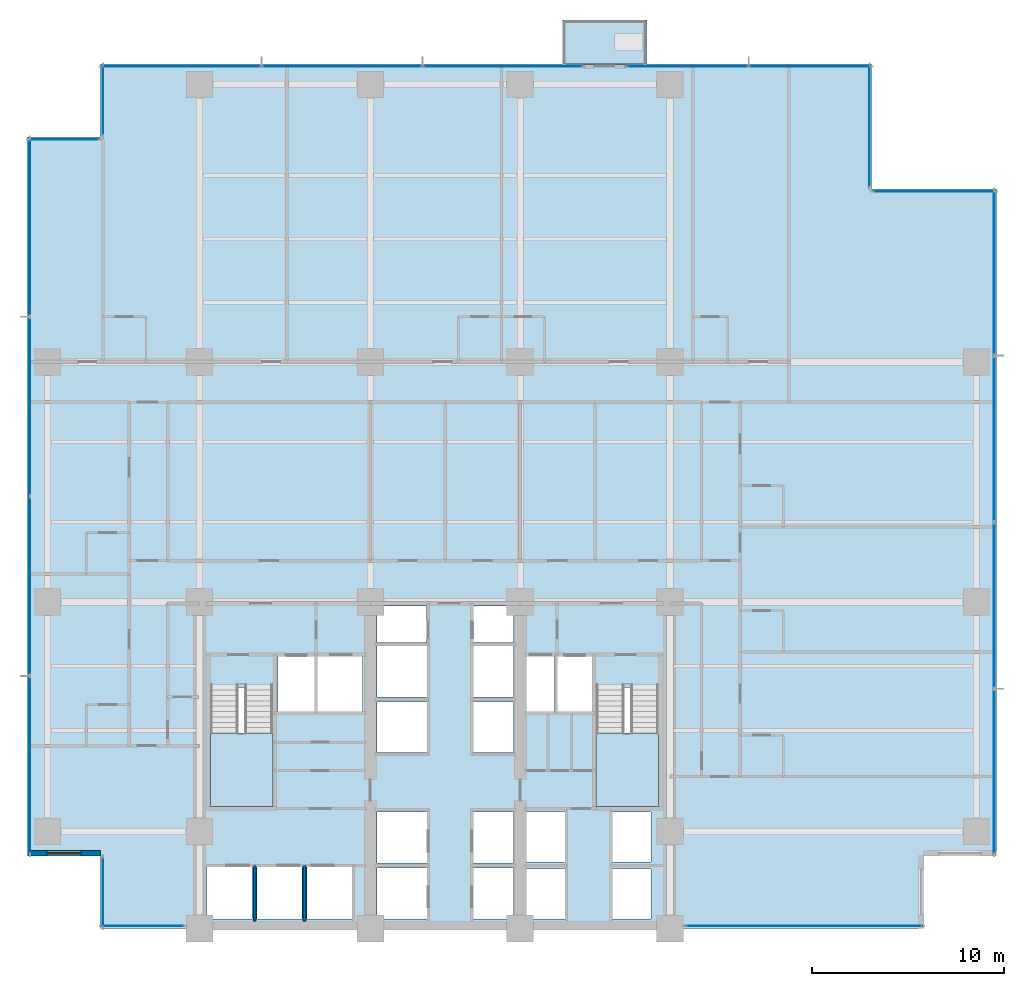
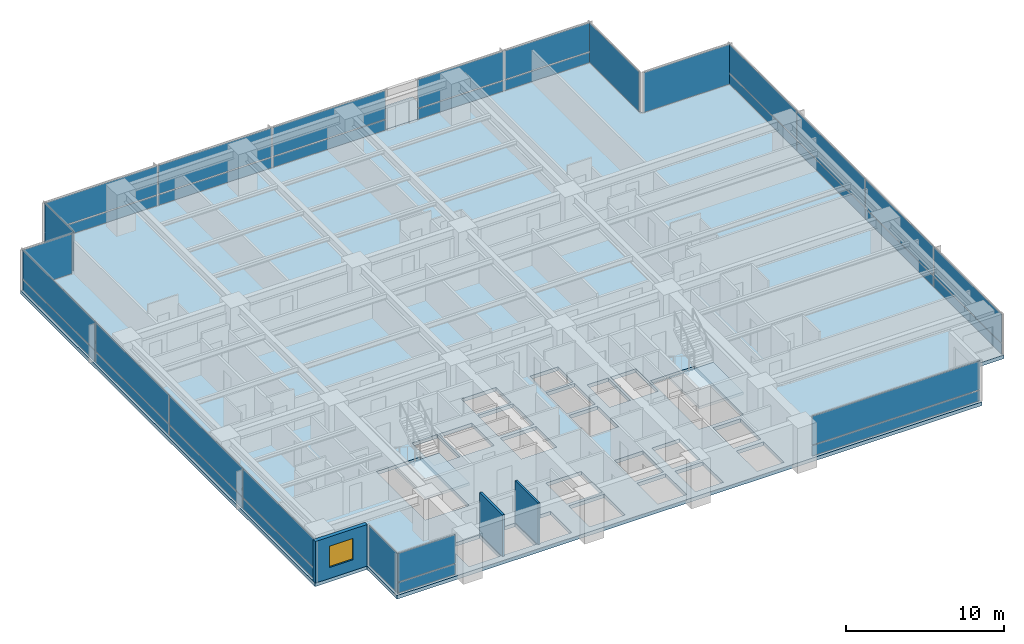
# One storey, part 6 of 16: 35 plates, 4 slabs, 3 walls, 1 window, 1 opening, 13 elements without a shape of their own.
"""IFC4 building model written with IfcOpenShell, lengths in metres."""

from ifc_helpers import new_model, si_unit, direction, frame, frame_2d, origin, origin_2d, place, context, subcontext, project, spatial, polyline, rectangle, outline, extrude, material, layer, layer_set, type_object, element, fill, aggregate, save


model = new_model("IFC4")

# Units and contexts
model_context = context("Model", 3, precision=1e-05, world=origin(), true_north=direction((0.0, 1.0)))
body_context = subcontext(model_context, "Body", "Model", "MODEL_VIEW")
ifc_project = project(units=[si_unit("LENGTHUNIT", "METRE"), si_unit("AREAUNIT", "SQUARE_METRE"), si_unit("VOLUMEUNIT", "CUBIC_METRE"), si_unit("PLANEANGLEUNIT", "RADIAN"), si_unit("MASSUNIT", "GRAM", prefix="KILO")], contexts=[model_context])

# Site, building, storey
site_placement = place(None, origin())
site = spatial("IfcSite", under=ifc_project, at=site_placement, CompositionType="ELEMENT")
building_placement = place(site_placement, origin())
building = spatial("IfcBuilding", under=site, at=building_placement, Name="Qalmaran Belvedere Hotel", CompositionType="ELEMENT")
storey_placement = place(building_placement, frame((0.0, 0.0, 50.89990234375)))
storey = spatial("IfcBuildingStorey", under=building, at=storey_placement, Name="L12", CompositionType="ELEMENT", Elevation=50.89990234375)

# Curtain wall, plate
ifc_material_1 = material(Name="Anodised Bronze Aluminium", Category="aluminium")
ifc_layer_1 = layer(ifc_material_1, 0.2099609375, Name="Anodised Bronze Aluminium")
ifc_layer_set_1 = layer_set([ifc_layer_1], Name="Anodised Bronze Aluminium")
curtain_wall_type = type_object("IfcCurtainWallType", Name="CW2-TOWER-LOWER", PredefinedType="NOTDEFINED", material=ifc_layer_set_1)
curtain_wall_1_placement = place(storey_placement, origin())
curtain_wall_1 = element("IfcCurtainWall", 1, at=curtain_wall_1_placement, inside=storey, type_object=curtain_wall_type, Name="L12 Curtain Wall CW2", PredefinedType="NOTDEFINED")
ifc_material_2 = material(Name="Anodised Bronze Spandrel Panel")
ifc_layer_2 = layer(ifc_material_2, 0.035888671875, Name="Anodised Bronze Spandrel Panel")
ifc_layer_set_2 = layer_set([ifc_layer_2], Name="Anodised Bronze Spandrel Panel")
plate_type_1 = type_object("IfcPlateType", Name="CWP-SPANDREL-36", PredefinedType="CURTAIN_PANEL", material=ifc_layer_set_2)
plate_1_placement = place(storey_placement, frame((17.35498046875, 3.6201171875, 0.0703125), z_axis=(0.0, 0.0, 1.0), x_axis=(1.0, 0.0, 0.0)))
plate_1 = element("IfcPlate", 2, at=plate_1_placement, type_object=plate_type_1, Name="CW2 panel 1.1", PredefinedType="CURTAIN_PANEL", context=body_context, shape_type="SweptSolid", body=[
    extrude(rectangle(XDim=4.260009765625, YDim=0.035888671875, at=origin_2d()), origin(), (0.0, 0.0, 1.0), 0.796630859375),
])

curtain_wall_2_placement = place(storey_placement, origin())
curtain_wall_2 = element("IfcCurtainWall", 3, at=curtain_wall_2_placement, inside=storey, type_object=curtain_wall_type, Name="L12 Curtain Wall CW2", PredefinedType="NOTDEFINED")
plate_2_placement = place(storey_placement, frame((51.77001953125, 3.6201171875, 0.0703125), z_axis=(0.0, 0.0, 1.0), x_axis=(1.0, 0.0, 0.0)))
plate_2 = element("IfcPlate", 4, at=plate_2_placement, type_object=plate_type_1, Name="CW2 panel 1.1", PredefinedType="CURTAIN_PANEL", context=body_context, shape_type="SweptSolid", body=[
    extrude(rectangle(XDim=12.31005859375, YDim=0.035888671875, at=origin_2d()), origin(), (0.0, 0.0, 1.0), 0.796630859375),
])

# Curtain wall, plates
curtain_wall_3_placement = place(storey_placement, origin())
curtain_wall_3 = element("IfcCurtainWall", 5, at=curtain_wall_3_placement, inside=storey, type_object=curtain_wall_type, Name="L12 Curtain Wall CW2", PredefinedType="NOTDEFINED")
plate_3_placement = place(storey_placement, frame((61.679931640625, 11.65625, 0.0703125), z_axis=(0.0, 0.0, 1.0), x_axis=(0.0, 1.0, 0.0)))
plate_3 = element("IfcPlate", 6, at=plate_3_placement, type_object=plate_type_1, Name="CW2 panel 1.1", PredefinedType="CURTAIN_PANEL", context=body_context, shape_type="SweptSolid", body=[
    extrude(rectangle(XDim=8.5625, YDim=0.035888671875, at=origin_2d()), origin(), (0.0, 0.0, 1.0), 0.796630859375),
])
plate_4_placement = place(storey_placement, frame((61.679931640625, 20.3125, 0.0703125), z_axis=(0.0, 0.0, 1.0), x_axis=(0.0, 1.0, 0.0)))
plate_4 = element("IfcPlate", 7, at=plate_4_placement, type_object=plate_type_1, Name="CW2 panel 2.1", PredefinedType="CURTAIN_PANEL", context=body_context, shape_type="SweptSolid", body=[
    extrude(rectangle(XDim=8.60009765625, YDim=0.035888671875, at=origin_2d()), origin(), (0.0, 0.0, 1.0), 0.796630859375),
])
plate_5_placement = place(storey_placement, frame((61.679931640625, 28.987548828125, 0.0703125), z_axis=(0.0, 0.0, 1.0), x_axis=(0.0, 1.0, 0.0)))
plate_5 = element("IfcPlate", 8, at=plate_5_placement, type_object=plate_type_1, Name="CW2 panel 3.1", PredefinedType="CURTAIN_PANEL", context=body_context, shape_type="SweptSolid", body=[
    extrude(rectangle(XDim=8.60009765625, YDim=0.035888671875, at=origin_2d()), origin(), (0.0, 0.0, 1.0), 0.796630859375),
])
plate_6_placement = place(storey_placement, frame((61.679931640625, 37.643798828125, 0.0703125), z_axis=(0.0, 0.0, 1.0), x_axis=(0.0, 1.0, 0.0)))
plate_6 = element("IfcPlate", 9, at=plate_6_placement, type_object=plate_type_1, Name="CW2 panel 4.1", PredefinedType="CURTAIN_PANEL", context=body_context, shape_type="SweptSolid", body=[
    extrude(rectangle(XDim=8.5625, YDim=0.035888671875, at=origin_2d()), origin(), (0.0, 0.0, 1.0), 0.796630859375),
])

curtain_wall_4_placement = place(storey_placement, origin())
curtain_wall_4 = element("IfcCurtainWall", 10, at=curtain_wall_4_placement, inside=storey, type_object=curtain_wall_type, Name="L12 Curtain Wall CW2", PredefinedType="NOTDEFINED")
plate_7_placement = place(storey_placement, frame((36.089599609375, 48.3798828125, 0.0703125), z_axis=(0.0, 0.0, 1.0), x_axis=(-1.0, 0.0, 0.0)))
plate_7 = element("IfcPlate", 11, at=plate_7_placement, type_object=plate_type_1, Name="CW2 panel 1.1", PredefinedType="CURTAIN_PANEL", context=body_context, shape_type="SweptSolid", body=[
    extrude(rectangle(XDim=8.270751953125, YDim=0.035888671875, at=origin_2d()), origin(), (0.0, 0.0, 1.0), 0.796630859375),
])
plate_8_placement = place(storey_placement, frame((27.72509765625, 48.3798828125, 0.0703125), z_axis=(0.0, 0.0, 1.0), x_axis=(-1.0, 0.0, 0.0)))
plate_8 = element("IfcPlate", 12, at=plate_8_placement, type_object=plate_type_1, Name="CW2 panel 2.1", PredefinedType="CURTAIN_PANEL", context=body_context, shape_type="SweptSolid", body=[
    extrude(rectangle(XDim=8.308349609375, YDim=0.035888671875, at=origin_2d()), origin(), (0.0, 0.0, 1.0), 0.796630859375),
])
plate_9_placement = place(storey_placement, frame((19.3603515625, 48.3798828125, 0.0703125), z_axis=(0.0, 0.0, 1.0), x_axis=(-1.0, 0.0, 0.0)))
plate_9 = element("IfcPlate", 13, at=plate_9_placement, type_object=plate_type_1, Name="CW2 panel 3.1", PredefinedType="CURTAIN_PANEL", context=body_context, shape_type="SweptSolid", body=[
    extrude(rectangle(XDim=8.270751953125, YDim=0.035888671875, at=origin_2d()), origin(), (0.0, 0.0, 1.0), 0.796630859375),
])

curtain_wall_5_placement = place(storey_placement, origin())
curtain_wall_5 = element("IfcCurtainWall", 14, at=curtain_wall_5_placement, inside=storey, type_object=curtain_wall_type, Name="L12 Curtain Wall CW2", PredefinedType="NOTDEFINED")
plate_10_placement = place(storey_placement, frame((52.081298828125, 48.3798828125, 0.0703125), z_axis=(0.0, 0.0, 1.0), x_axis=(-1.0, 0.0, 0.0)))
plate_10 = element("IfcPlate", 15, at=plate_10_placement, type_object=plate_type_1, Name="CW2 panel 1.1", PredefinedType="CURTAIN_PANEL", context=body_context, shape_type="SweptSolid", body=[
    extrude(rectangle(XDim=6.28759765625, YDim=0.035888671875, at=origin_2d()), origin(), (0.0, 0.0, 1.0), 0.796630859375),
])
plate_11_placement = place(storey_placement, frame((45.71875, 48.3798828125, 0.0703125), z_axis=(0.0, 0.0, 1.0), x_axis=(-1.0, 0.0, 0.0)))
plate_11 = element("IfcPlate", 16, at=plate_11_placement, type_object=plate_type_1, Name="CW2 panel 2.1", PredefinedType="CURTAIN_PANEL", context=body_context, shape_type="SweptSolid", body=[
    extrude(rectangle(XDim=6.28759765625, YDim=0.035888671875, at=origin_2d()), origin(), (0.0, 0.0, 1.0), 0.796630859375),
])

curtain_wall_6_placement = place(storey_placement, origin())
curtain_wall_6 = element("IfcCurtainWall", 17, at=curtain_wall_6_placement, inside=storey, type_object=curtain_wall_type, Name="L12 Curtain Wall CW2", PredefinedType="NOTDEFINED")
plate_12_placement = place(storey_placement, frame((11.469970703125, 40.00634765625, 0.0703125), z_axis=(0.0, 0.0, 1.0), x_axis=(0.0, -1.0, 0.0)))
plate_12 = element("IfcPlate", 18, at=plate_12_placement, type_object=plate_type_1, Name="CW2 panel 1.1", PredefinedType="CURTAIN_PANEL", context=body_context, shape_type="SweptSolid", body=[
    extrude(rectangle(XDim=9.237548828125, YDim=0.035888671875, at=origin_2d()), origin(), (0.0, 0.0, 1.0), 0.796630859375),
])
plate_13_placement = place(storey_placement, frame((11.469970703125, 30.675048828125, 0.0703125), z_axis=(0.0, 0.0, 1.0), x_axis=(0.0, -1.0, 0.0)))
plate_13 = element("IfcPlate", 19, at=plate_13_placement, type_object=plate_type_1, Name="CW2 panel 2.1", PredefinedType="CURTAIN_PANEL", context=body_context, shape_type="SweptSolid", body=[
    extrude(rectangle(XDim=9.27490234375, YDim=0.035888671875, at=origin_2d()), origin(), (0.0, 0.0, 1.0), 0.796630859375),
])
plate_14_placement = place(storey_placement, frame((11.469970703125, 21.324951171875, 0.0703125), z_axis=(0.0, 0.0, 1.0), x_axis=(0.0, -1.0, 0.0)))
plate_14 = element("IfcPlate", 20, at=plate_14_placement, type_object=plate_type_1, Name="CW2 panel 3.1", PredefinedType="CURTAIN_PANEL", context=body_context, shape_type="SweptSolid", body=[
    extrude(rectangle(XDim=9.27490234375, YDim=0.035888671875, at=origin_2d()), origin(), (0.0, 0.0, 1.0), 0.796630859375),
])
plate_15_placement = place(storey_placement, frame((11.469970703125, 11.99365234375, 0.0703125), z_axis=(0.0, 0.0, 1.0), x_axis=(0.0, -1.0, 0.0)))
plate_15 = element("IfcPlate", 21, at=plate_15_placement, type_object=plate_type_1, Name="CW2 panel 4.1", PredefinedType="CURTAIN_PANEL", context=body_context, shape_type="SweptSolid", body=[
    extrude(rectangle(XDim=9.237548828125, YDim=0.035888671875, at=origin_2d()), origin(), (0.0, 0.0, 1.0), 0.796630859375),
])

# Plate
ifc_material_3 = material(Name="Solar-Control Double Glazing", Category="glass")
ifc_layer_3 = layer(ifc_material_3, 0.028076171875, Name="Solar-Control Double Glazing")
ifc_layer_set_3 = layer_set([ifc_layer_3], Name="Solar-Control Double Glazing")
plate_type_2 = type_object("IfcPlateType", Name="CWP-VISION-28", PredefinedType="CURTAIN_PANEL", material=ifc_layer_set_3)
plate_16_placement = place(storey_placement, frame((17.35498046875, 3.6201171875, 0.936767578125), z_axis=(0.0, 0.0, 1.0), x_axis=(1.0, 0.0, 0.0)))
plate_16 = element("IfcPlate", 22, at=plate_16_placement, type_object=plate_type_2, Name="CW2 panel 1.2", PredefinedType="CURTAIN_PANEL", context=body_context, shape_type="SweptSolid", body=[
    extrude(rectangle(XDim=4.260009765625, YDim=0.028076171875, at=origin_2d()), origin(), (0.0, 0.0, 1.0), 2.21337890625),
])

aggregate(curtain_wall_1, [plate_1, plate_16])

plate_17_placement = place(storey_placement, frame((51.77001953125, 3.6201171875, 0.936767578125), z_axis=(0.0, 0.0, 1.0), x_axis=(1.0, 0.0, 0.0)))
plate_17 = element("IfcPlate", 23, at=plate_17_placement, type_object=plate_type_2, Name="CW2 panel 1.2", PredefinedType="CURTAIN_PANEL", context=body_context, shape_type="SweptSolid", body=[
    extrude(rectangle(XDim=12.31005859375, YDim=0.028076171875, at=origin_2d()), origin(), (0.0, 0.0, 1.0), 2.21337890625),
])

aggregate(curtain_wall_2, [plate_2, plate_17])

plate_18_placement = place(storey_placement, frame((61.679931640625, 11.65625, 0.936767578125), z_axis=(0.0, 0.0, 1.0), x_axis=(0.0, 1.0, 0.0)))
plate_18 = element("IfcPlate", 24, at=plate_18_placement, type_object=plate_type_2, Name="CW2 panel 1.2", PredefinedType="CURTAIN_PANEL", context=body_context, shape_type="SweptSolid", body=[
    extrude(rectangle(XDim=8.5625, YDim=0.028076171875, at=origin_2d()), origin(), (0.0, 0.0, 1.0), 2.21337890625),
])

plate_19_placement = place(storey_placement, frame((61.679931640625, 20.3125, 0.936767578125), z_axis=(0.0, 0.0, 1.0), x_axis=(0.0, 1.0, 0.0)))
plate_19 = element("IfcPlate", 25, at=plate_19_placement, type_object=plate_type_2, Name="CW2 panel 2.2", PredefinedType="CURTAIN_PANEL", context=body_context, shape_type="SweptSolid", body=[
    extrude(rectangle(XDim=8.60009765625, YDim=0.028076171875, at=origin_2d()), origin(), (0.0, 0.0, 1.0), 2.21337890625),
])

plate_20_placement = place(storey_placement, frame((61.679931640625, 28.987548828125, 0.936767578125), z_axis=(0.0, 0.0, 1.0), x_axis=(0.0, 1.0, 0.0)))
plate_20 = element("IfcPlate", 26, at=plate_20_placement, type_object=plate_type_2, Name="CW2 panel 3.2", PredefinedType="CURTAIN_PANEL", context=body_context, shape_type="SweptSolid", body=[
    extrude(rectangle(XDim=8.60009765625, YDim=0.028076171875, at=origin_2d()), origin(), (0.0, 0.0, 1.0), 2.21337890625),
])

plate_21_placement = place(storey_placement, frame((61.679931640625, 37.643798828125, 0.936767578125), z_axis=(0.0, 0.0, 1.0), x_axis=(0.0, 1.0, 0.0)))
plate_21 = element("IfcPlate", 27, at=plate_21_placement, type_object=plate_type_2, Name="CW2 panel 4.2", PredefinedType="CURTAIN_PANEL", context=body_context, shape_type="SweptSolid", body=[
    extrude(rectangle(XDim=8.5625, YDim=0.028076171875, at=origin_2d()), origin(), (0.0, 0.0, 1.0), 2.21337890625),
])

aggregate(curtain_wall_3, [plate_3, plate_18, plate_4, plate_19, plate_5, plate_20, plate_6, plate_21])

# Curtain wall, plate
curtain_wall_7_placement = place(storey_placement, origin())
curtain_wall_7 = element("IfcCurtainWall", 28, at=curtain_wall_7_placement, inside=storey, type_object=curtain_wall_type, Name="L12 Curtain Wall CW2", PredefinedType="NOTDEFINED")
plate_22_placement = place(storey_placement, frame((58.550048828125, 41.8798828125, 0.070068359375), z_axis=(0.0, 0.0, 1.0), x_axis=(-1.0, 0.0, 0.0)))
plate_22 = element("IfcPlate", 29, at=plate_22_placement, type_object=plate_type_2, Name="CW2 panel 1.1", PredefinedType="CURTAIN_PANEL", context=body_context, shape_type="SweptSolid", body=[
    extrude(rectangle(XDim=6.35009765625, YDim=0.028076171875, at=origin_2d()), origin(), (0.0, 0.0, 1.0), 3.080078125),
])
aggregate(curtain_wall_7, [plate_22])

curtain_wall_8_placement = place(storey_placement, origin())
curtain_wall_8 = element("IfcCurtainWall", 30, at=curtain_wall_8_placement, inside=storey, type_object=curtain_wall_type, Name="L12 Curtain Wall CW2", PredefinedType="NOTDEFINED")
plate_23_placement = place(storey_placement, frame((55.179931640625, 45.25, 0.070068359375), z_axis=(0.0, 0.0, 1.0), x_axis=(0.0, 1.0, 0.0)))
plate_23 = element("IfcPlate", 31, at=plate_23_placement, type_object=plate_type_2, Name="CW2 panel 1.1", PredefinedType="CURTAIN_PANEL", context=body_context, shape_type="SweptSolid", body=[
    extrude(rectangle(XDim=6.35009765625, YDim=0.028076171875, at=origin_2d()), origin(), (0.0, 0.0, 1.0), 3.080078125),
])
aggregate(curtain_wall_8, [plate_23])

# Plate
plate_24_placement = place(storey_placement, frame((36.089599609375, 48.3798828125, 0.936767578125), z_axis=(0.0, 0.0, 1.0), x_axis=(-1.0, 0.0, 0.0)))
plate_24 = element("IfcPlate", 32, at=plate_24_placement, type_object=plate_type_2, Name="CW2 panel 1.2", PredefinedType="CURTAIN_PANEL", context=body_context, shape_type="SweptSolid", body=[
    extrude(rectangle(XDim=8.270751953125, YDim=0.028076171875, at=origin_2d()), origin(), (0.0, 0.0, 1.0), 2.21337890625),
])

plate_25_placement = place(storey_placement, frame((27.72509765625, 48.3798828125, 0.936767578125), z_axis=(0.0, 0.0, 1.0), x_axis=(-1.0, 0.0, 0.0)))
plate_25 = element("IfcPlate", 33, at=plate_25_placement, type_object=plate_type_2, Name="CW2 panel 2.2", PredefinedType="CURTAIN_PANEL", context=body_context, shape_type="SweptSolid", body=[
    extrude(rectangle(XDim=8.308349609375, YDim=0.028076171875, at=origin_2d()), origin(), (0.0, 0.0, 1.0), 2.21337890625),
])

plate_26_placement = place(storey_placement, frame((19.3603515625, 48.3798828125, 0.936767578125), z_axis=(0.0, 0.0, 1.0), x_axis=(-1.0, 0.0, 0.0)))
plate_26 = element("IfcPlate", 34, at=plate_26_placement, type_object=plate_type_2, Name="CW2 panel 3.2", PredefinedType="CURTAIN_PANEL", context=body_context, shape_type="SweptSolid", body=[
    extrude(rectangle(XDim=8.270751953125, YDim=0.028076171875, at=origin_2d()), origin(), (0.0, 0.0, 1.0), 2.21337890625),
])

aggregate(curtain_wall_4, [plate_7, plate_24, plate_8, plate_25, plate_9, plate_26])

plate_27_placement = place(storey_placement, frame((52.081298828125, 48.3798828125, 0.936767578125), z_axis=(0.0, 0.0, 1.0), x_axis=(-1.0, 0.0, 0.0)))
plate_27 = element("IfcPlate", 35, at=plate_27_placement, type_object=plate_type_2, Name="CW2 panel 1.2", PredefinedType="CURTAIN_PANEL", context=body_context, shape_type="SweptSolid", body=[
    extrude(rectangle(XDim=6.28759765625, YDim=0.028076171875, at=origin_2d()), origin(), (0.0, 0.0, 1.0), 2.21337890625),
])

plate_28_placement = place(storey_placement, frame((45.71875, 48.3798828125, 0.936767578125), z_axis=(0.0, 0.0, 1.0), x_axis=(-1.0, 0.0, 0.0)))
plate_28 = element("IfcPlate", 36, at=plate_28_placement, type_object=plate_type_2, Name="CW2 panel 2.2", PredefinedType="CURTAIN_PANEL", context=body_context, shape_type="SweptSolid", body=[
    extrude(rectangle(XDim=6.28759765625, YDim=0.028076171875, at=origin_2d()), origin(), (0.0, 0.0, 1.0), 2.21337890625),
])

aggregate(curtain_wall_5, [plate_10, plate_27, plate_11, plate_28])

# Curtain wall, plate
curtain_wall_9_placement = place(storey_placement, origin())
curtain_wall_9 = element("IfcCurtainWall", 37, at=curtain_wall_9_placement, inside=storey, type_object=curtain_wall_type, Name="L12 Curtain Wall CW2", PredefinedType="NOTDEFINED")
plate_29_placement = place(storey_placement, frame((15.27001953125, 46.60009765625, 0.070068359375), z_axis=(0.0, 0.0, 1.0), x_axis=(0.0, -1.0, 0.0)))
plate_29 = element("IfcPlate", 38, at=plate_29_placement, type_object=plate_type_2, Name="CW2 panel 1.1", PredefinedType="CURTAIN_PANEL", context=body_context, shape_type="SweptSolid", body=[
    extrude(rectangle(XDim=3.64990234375, YDim=0.028076171875, at=origin_2d()), origin(), (0.0, 0.0, 1.0), 3.080078125),
])
aggregate(curtain_wall_9, [plate_29])

curtain_wall_10_placement = place(storey_placement, origin())
curtain_wall_10 = element("IfcCurtainWall", 39, at=curtain_wall_10_placement, inside=storey, type_object=curtain_wall_type, Name="L12 Curtain Wall CW2", PredefinedType="NOTDEFINED")
plate_30_placement = place(storey_placement, frame((13.25, 44.580078125, 0.070068359375), z_axis=(0.0, 0.0, 1.0), x_axis=(-1.0, 0.0, 0.0)))
plate_30 = element("IfcPlate", 40, at=plate_30_placement, type_object=plate_type_2, Name="CW2 panel 1.1", PredefinedType="CURTAIN_PANEL", context=body_context, shape_type="SweptSolid", body=[
    extrude(rectangle(XDim=3.64990234375, YDim=0.028076171875, at=origin_2d()), origin(), (0.0, 0.0, 1.0), 3.080078125),
])
aggregate(curtain_wall_10, [plate_30])

# Plate
plate_31_placement = place(storey_placement, frame((11.469970703125, 40.00634765625, 0.936767578125), z_axis=(0.0, 0.0, 1.0), x_axis=(0.0, -1.0, 0.0)))
plate_31 = element("IfcPlate", 41, at=plate_31_placement, type_object=plate_type_2, Name="CW2 panel 1.2", PredefinedType="CURTAIN_PANEL", context=body_context, shape_type="SweptSolid", body=[
    extrude(rectangle(XDim=9.237548828125, YDim=0.028076171875, at=origin_2d()), origin(), (0.0, 0.0, 1.0), 2.21337890625),
])

plate_32_placement = place(storey_placement, frame((11.469970703125, 30.675048828125, 0.936767578125), z_axis=(0.0, 0.0, 1.0), x_axis=(0.0, -1.0, 0.0)))
plate_32 = element("IfcPlate", 42, at=plate_32_placement, type_object=plate_type_2, Name="CW2 panel 2.2", PredefinedType="CURTAIN_PANEL", context=body_context, shape_type="SweptSolid", body=[
    extrude(rectangle(XDim=9.27490234375, YDim=0.028076171875, at=origin_2d()), origin(), (0.0, 0.0, 1.0), 2.21337890625),
])

plate_33_placement = place(storey_placement, frame((11.469970703125, 21.324951171875, 0.936767578125), z_axis=(0.0, 0.0, 1.0), x_axis=(0.0, -1.0, 0.0)))
plate_33 = element("IfcPlate", 43, at=plate_33_placement, type_object=plate_type_2, Name="CW2 panel 3.2", PredefinedType="CURTAIN_PANEL", context=body_context, shape_type="SweptSolid", body=[
    extrude(rectangle(XDim=9.27490234375, YDim=0.028076171875, at=origin_2d()), origin(), (0.0, 0.0, 1.0), 2.21337890625),
])

plate_34_placement = place(storey_placement, frame((11.469970703125, 11.99365234375, 0.936767578125), z_axis=(0.0, 0.0, 1.0), x_axis=(0.0, -1.0, 0.0)))
plate_34 = element("IfcPlate", 44, at=plate_34_placement, type_object=plate_type_2, Name="CW2 panel 4.2", PredefinedType="CURTAIN_PANEL", context=body_context, shape_type="SweptSolid", body=[
    extrude(rectangle(XDim=9.237548828125, YDim=0.028076171875, at=origin_2d()), origin(), (0.0, 0.0, 1.0), 2.21337890625),
])

aggregate(curtain_wall_6, [plate_12, plate_31, plate_13, plate_32, plate_14, plate_33, plate_15, plate_34])

# Curtain wall, plate
curtain_wall_11_placement = place(storey_placement, origin())
curtain_wall_11 = element("IfcCurtainWall", 45, at=curtain_wall_11_placement, inside=storey, type_object=curtain_wall_type, Name="L12 Curtain Wall CW2", PredefinedType="NOTDEFINED")
plate_35_placement = place(storey_placement, frame((15.27001953125, 5.39990234375, 0.070068359375), z_axis=(0.0, 0.0, 1.0), x_axis=(0.0, -1.0, 0.0)))
plate_35 = element("IfcPlate", 46, at=plate_35_placement, type_object=plate_type_2, Name="CW2 panel 1.1", PredefinedType="CURTAIN_PANEL", context=body_context, shape_type="SweptSolid", body=[
    extrude(rectangle(XDim=3.64990234375, YDim=0.028076171875, at=origin_2d()), origin(), (0.0, 0.0, 1.0), 3.080078125),
])
aggregate(curtain_wall_11, [plate_35])

# Slab
ifc_material_4 = material(Name="Concrete C40/50", Category="concrete")
ifc_layer_4 = layer(ifc_material_4, 0.219970703125, Name="Concrete C40/50")
ifc_layer_set_4 = layer_set([ifc_layer_4], Name="Concrete C40/50")
slab_type_1 = type_object("IfcSlabType", Name="SLB-BAL-220", PredefinedType="USERDEFINED", material=ifc_layer_set_4)
slab_1_placement = place(storey_placement, frame((0.0, 0.0, -0.219970703125)))
element("IfcSlab", 47, at=slab_1_placement, inside=storey, type_object=slab_type_1, Name="L12 Planted Tree Balcony Slab 1", ObjectType="BALCONY", PredefinedType="USERDEFINED", context=body_context, shape_type="SweptSolid", body=[
    extrude(outline(polyline([(39.199951171875, 48.5), (43.60009765625, 48.5), (43.60009765625, 50.800048828125), (39.199951171875, 50.800048828125), (39.199951171875, 48.5)])), origin(), (0.0, 0.0, 1.0), 0.219970703125),
])

# Stair, slab
stair_type_1 = type_object("IfcStairType", Name="STR-ST-1-1450-R1750", PredefinedType="HALF_TURN_STAIR", material=ifc_material_4)
stair_1_placement = place(storey_placement, origin())
stair_1 = element("IfcStair", 48, at=stair_1_placement, inside=storey, type_object=stair_type_1, Name="L12 West Core Exit Stair ST-1", PredefinedType="HALF_TURN_STAIR")
ifc_layer_5 = layer(ifc_material_4, 0.199951171875, Name="Concrete C40/50")
ifc_layer_set_5 = layer_set([ifc_layer_5], Name="Concrete C40/50")
slab_type_2 = type_object("IfcSlabType", Name="SLB-STAIR-LANDING-200", PredefinedType="LANDING", material=ifc_layer_set_5)
slab_2_placement = place(storey_placement, frame((0.0, 0.0, 1.550048828125)))
slab_2 = element("IfcSlab", 49, at=slab_2_placement, type_object=slab_type_2, Name="ST-1 landing 1", PredefinedType="LANDING", context=body_context, shape_type="SweptSolid", body=[
    extrude(outline(polyline([(20.8798828125, 13.669921875), (20.8798828125, 9.85009765625), (24.1201171875, 9.85009765625), (24.1201171875, 13.669921875), (20.8798828125, 13.669921875)])), origin(), (0.0, 0.0, 1.0), 0.199951171875),
])
aggregate(stair_1, [slab_2])

stair_type_2 = type_object("IfcStairType", Name="STR-ST-2-1450-R1750", PredefinedType="HALF_TURN_STAIR", material=ifc_material_4)
stair_2_placement = place(storey_placement, origin())
stair_2 = element("IfcStair", 50, at=stair_2_placement, inside=storey, type_object=stair_type_2, Name="L12 East Core Exit Stair ST-2", PredefinedType="HALF_TURN_STAIR")
slab_3_placement = place(storey_placement, frame((0.0, 0.0, 1.550048828125)))
slab_3 = element("IfcSlab", 51, at=slab_3_placement, type_object=slab_type_2, Name="ST-2 landing 1", PredefinedType="LANDING", context=body_context, shape_type="SweptSolid", body=[
    extrude(outline(polyline([(40.9599609375, 13.669921875), (40.9599609375, 9.85009765625), (44.199951171875, 9.85009765625), (44.199951171875, 13.669921875), (40.9599609375, 13.669921875)])), origin(), (0.0, 0.0, 1.0), 0.199951171875),
])
aggregate(stair_2, [slab_3])

# Slab
ifc_layer_6 = layer(ifc_material_4, 0.280029296875, Name="Concrete C40/50")
ifc_layer_set_6 = layer_set([ifc_layer_6], Name="Concrete C40/50")
slab_type_3 = type_object("IfcSlabType", Name="SLB-Z1-280", PredefinedType="FLOOR", material=ifc_layer_set_6)
slab_4_placement = place(storey_placement, frame((0.0, 0.0, -0.27978515625)))
element("IfcSlab", 52, at=slab_4_placement, inside=storey, type_object=slab_type_3, Name="L12 Structural Floor Slab", PredefinedType="FLOOR", context=body_context, shape_type="SweptSolid", body=[
    extrude(outline(polyline([(15.14990234375, 3.5), (58.0, 3.5), (58.0, 7.300048828125), (61.800048828125, 7.300048828125), (61.800048828125, 42.0), (55.300048828125, 42.0), (55.300048828125, 48.5), (15.14990234375, 48.5), (15.14990234375, 44.699951171875), (11.35009765625, 44.699951171875), (11.35009765625, 7.300048828125), (15.14990234375, 7.300048828125), (15.14990234375, 3.5)]), holes=[polyline([(20.8798828125, 9.85009765625), (24.1201171875, 9.85009765625), (24.1201171875, 16.0400390625), (20.8798828125, 16.0400390625), (20.8798828125, 9.85009765625)]), polyline([(40.9599609375, 9.85009765625), (44.199951171875, 9.85009765625), (44.199951171875, 16.0400390625), (40.9599609375, 16.0400390625), (40.9599609375, 9.85009765625)]), polyline([(29.544921875, 4.0), (32.14990234375, 4.0), (32.14990234375, 6.64990234375), (29.544921875, 6.64990234375), (29.544921875, 4.0)]), polyline([(29.544921875, 6.89990234375), (32.14990234375, 6.89990234375), (32.14990234375, 9.550048828125), (29.544921875, 9.550048828125), (29.544921875, 6.89990234375)]), polyline([(34.550048828125, 4.0), (36.655029296875, 4.0), (36.655029296875, 6.64990234375), (34.550048828125, 6.64990234375), (34.550048828125, 4.0)]), polyline([(34.550048828125, 6.89990234375), (36.655029296875, 6.89990234375), (36.655029296875, 9.550048828125), (34.550048828125, 9.550048828125), (34.550048828125, 6.89990234375)]), polyline([(29.544921875, 12.64990234375), (32.14990234375, 12.64990234375), (32.14990234375, 15.300048828125), (29.544921875, 15.300048828125), (29.544921875, 12.64990234375)]), polyline([(29.544921875, 15.550048828125), (32.14990234375, 15.550048828125), (32.14990234375, 18.199951171875), (29.544921875, 18.199951171875), (29.544921875, 15.550048828125)]), polyline([(34.550048828125, 12.64990234375), (36.655029296875, 12.64990234375), (36.655029296875, 15.300048828125), (34.550048828125, 15.300048828125), (34.550048828125, 12.64990234375)]), polyline([(34.550048828125, 15.550048828125), (36.655029296875, 15.550048828125), (36.655029296875, 18.199951171875), (34.550048828125, 18.199951171875), (34.550048828125, 15.550048828125)]), polyline([(37.300048828125, 4.0), (39.35009765625, 4.0), (39.35009765625, 6.60009765625), (37.300048828125, 6.60009765625), (37.300048828125, 4.0)]), polyline([(37.300048828125, 6.949951171875), (39.35009765625, 6.949951171875), (39.35009765625, 9.550048828125), (37.300048828125, 9.550048828125), (37.300048828125, 6.949951171875)]), polyline([(41.800048828125, 4.0), (43.800048828125, 4.0), (43.800048828125, 6.60009765625), (41.800048828125, 6.60009765625), (41.800048828125, 4.0)]), polyline([(41.800048828125, 6.949951171875), (43.800048828125, 6.949951171875), (43.800048828125, 9.550048828125), (41.800048828125, 9.550048828125), (41.800048828125, 6.949951171875)]), polyline([(20.699951171875, 4.0), (23.050048828125, 4.0), (23.050048828125, 6.699951171875), (20.699951171875, 6.699951171875), (20.699951171875, 4.0)]), polyline([(23.300048828125, 4.0), (25.64990234375, 4.0), (25.64990234375, 6.699951171875), (23.300048828125, 6.699951171875), (23.300048828125, 4.0)]), polyline([(25.89990234375, 4.0), (28.25, 4.0), (28.25, 6.699951171875), (25.89990234375, 6.699951171875), (25.89990234375, 4.0)]), polyline([(24.39990234375, 14.800048828125), (26.300048828125, 14.800048828125), (26.300048828125, 17.64990234375), (24.39990234375, 17.64990234375), (24.39990234375, 14.800048828125)]), polyline([(38.949951171875, 14.800048828125), (40.820068359375, 14.800048828125), (40.820068359375, 17.64990234375), (38.949951171875, 17.64990234375), (38.949951171875, 14.800048828125)]), polyline([(26.449951171875, 14.800048828125), (28.800048828125, 14.800048828125), (28.800048828125, 17.64990234375), (26.449951171875, 17.64990234375), (26.449951171875, 14.800048828125)]), polyline([(37.25, 14.800048828125), (38.800048828125, 14.800048828125), (38.800048828125, 17.64990234375), (37.25, 17.64990234375), (37.25, 14.800048828125)]), polyline([(29.544921875, 18.3798828125), (32.1201171875, 18.3798828125), (32.1201171875, 20.300048828125), (29.544921875, 20.300048828125), (29.544921875, 18.3798828125)]), polyline([(34.580078125, 18.3798828125), (36.655029296875, 18.3798828125), (36.655029296875, 20.300048828125), (34.580078125, 20.300048828125), (34.580078125, 18.3798828125)])]), origin(), (0.0, 0.0, 1.0), 0.27978515625),
])

# Wall, opening, window
ifc_material_5 = material(Name="Anodised Bronze Cladding")
ifc_layer_7 = layer(ifc_material_5, 0.280029296875, Name="Anodised Bronze Cladding")
ifc_layer_set_7 = layer_set([ifc_layer_7], Name="Anodised Bronze Cladding")
wall_type_1 = type_object("IfcWallType", Name="WL-EXT-BRNZ-280", PredefinedType="SOLIDWALL", material=ifc_layer_set_7)
wall_placement = place(storey_placement, frame((11.35009765625, 7.419921875, 0.0), z_axis=(0.0, 0.0, 1.0), x_axis=(1.0, 0.0, 0.0)))
wall = element("IfcWall", 53, at=wall_placement, inside=storey, type_object=wall_type_1, Name="L12 Corner Notch Wall 10", PredefinedType="SOLIDWALL", context=body_context, shape_type="SweptSolid", body=[
    extrude(rectangle(XDim=3.7998046875, YDim=0.280029296875, at=frame_2d((1.89990234375, 0.0))), origin(), (0.0, 0.0, 1.0), 3.22021484375),
])
opening_placement = place(wall_placement, frame((1.02490234375, 0.0, 0.85009765625)))
opening = element("IfcOpeningElement", 54, at=opening_placement, cuts=wall, Name="Opening W-N17", PredefinedType="OPENING", context=body_context, shape_type="SweptSolid", body=[
    extrude(rectangle(XDim=1.75, YDim=1.64990234375, at=frame_2d((0.875, 0.824951171875))), frame((0.0, 0.14990234375, 0.0), z_axis=(0.0, -1.0, 0.0), x_axis=(1.0, 0.0, 0.0)), (0.0, 0.0, 1.0), 0.300048828125),
])
window_type = type_object("IfcWindowType", Name="WN-NTC-1750X1650", PartitioningType="SINGLE_PANEL", PredefinedType="WINDOW", material=ifc_material_3)
window_placement = place(opening_placement, origin())
window = element("IfcWindow", 55, at=window_placement, inside=storey, type_object=window_type, Name="L12 Corner Notch Window 10", OverallHeight=1.64990234375, OverallWidth=1.75, PartitioningType="SINGLE_PANEL", PredefinedType="WINDOW", context=body_context, shape_type="SweptSolid", body=[
    extrude(rectangle(XDim=1.75, YDim=1.64990234375, at=frame_2d((0.875, 0.824951171875))), frame((0.0, 0.030029296875, 0.0), z_axis=(0.0, -1.0, 0.0), x_axis=(1.0, 0.0, 0.0)), (0.0, 0.0, 1.0), 0.06005859375),
])
fill(opening, window)

# Walls
ifc_material_6 = material(Name="Gypsum Stud Partition")
ifc_layer_8 = layer(ifc_material_6, 0.14990234375, Name="Gypsum Stud Partition")
ifc_layer_set_8 = layer_set([ifc_layer_8], Name="Gypsum Stud Partition")
wall_type_2 = type_object("IfcWallType", Name="WL-INT-150-EI120", PredefinedType="PARTITIONING", material=ifc_layer_set_8)
for number, where, z_axis, x_axis, name in (
    (56, (23.179931640625, 3.89990234375, 0.0), (0.0, 0.0, 1.0), (0.0, 1.0, 0.0), "L12 Partition WL-POM1-L12"),
    (57, (25.780029296875, 3.89990234375, 0.0), (0.0, 0.0, 1.0), (0.0, 1.0, 0.0), "L12 Partition WL-POM2-L12"),
):
    element("IfcWall", number, at=place(storey_placement, frame(where, z_axis=z_axis, x_axis=x_axis)), inside=storey, type_object=wall_type_2, Name=name, PredefinedType="PARTITIONING", context=body_context, shape_type="SweptSolid", body=[
        extrude(rectangle(XDim=2.880126953125, YDim=0.14990234375, at=frame_2d((1.43994140625, 0.0))), origin(), (0.0, 0.0, 1.0), 3.22021484375),
    ])

save(model, "model.ifc")
